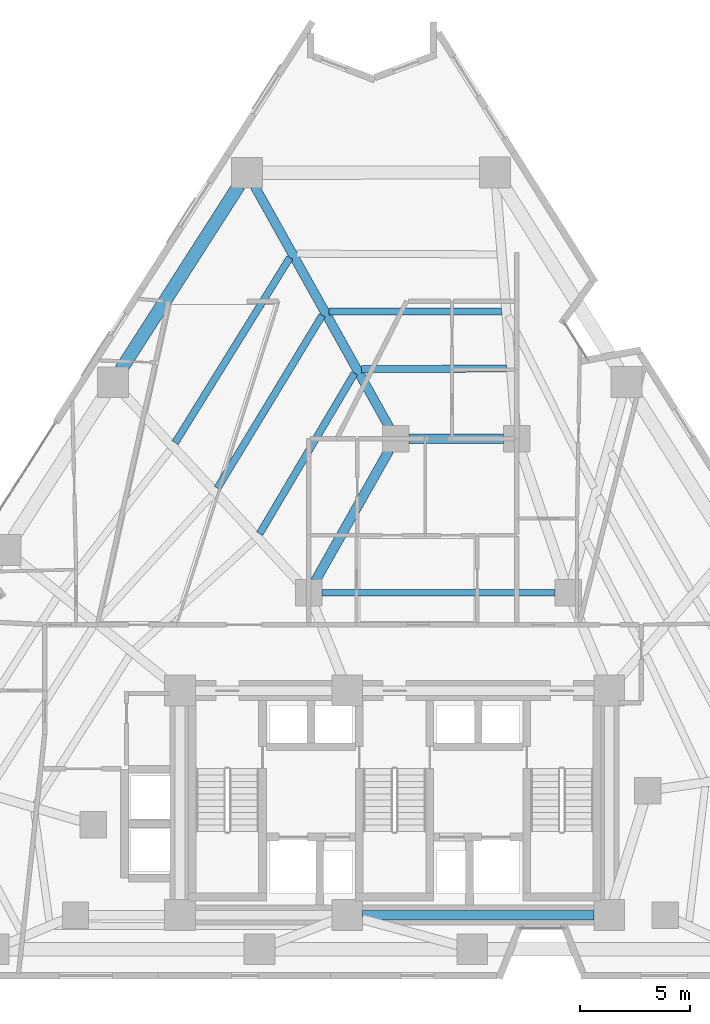
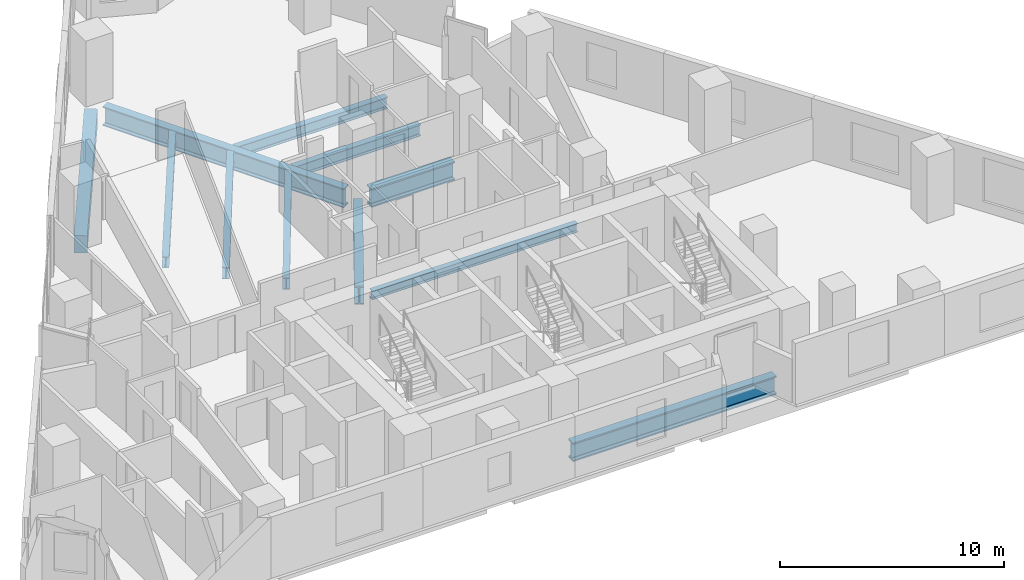
# One storey, part 3 of 14: 11 beams.
"""IFC4 building model written with IfcOpenShell, lengths in metres."""

from ifc_helpers import new_model, si_unit, direction, frame, origin, origin_2d, place, context, subcontext, project, spatial, rectangle, i_section, extrude, material, material_profile, profile_set, type_object, element, save


model = new_model("IFC4")

# Units and contexts
model_context = context("Model", 3, precision=1e-05, world=origin(), true_north=direction((0.0, 1.0)))
body_context = subcontext(model_context, "Body", "Model", "MODEL_VIEW")
ifc_project = project(units=[si_unit("LENGTHUNIT", "METRE"), si_unit("AREAUNIT", "SQUARE_METRE"), si_unit("VOLUMEUNIT", "CUBIC_METRE"), si_unit("PLANEANGLEUNIT", "RADIAN"), si_unit("MASSUNIT", "GRAM", prefix="KILO")], contexts=[model_context])

# Site, building, storey
site_placement = place(None, origin())
site = spatial("IfcSite", under=ifc_project, at=site_placement, CompositionType="ELEMENT")
building_placement = place(site_placement, origin())
building = spatial("IfcBuilding", under=site, at=building_placement, Name="Almagre Mirador Tower", CompositionType="ELEMENT")
storey_placement = place(building_placement, frame((0.0, 0.0, 60.60009765625)))
storey = spatial("IfcBuildingStorey", under=building, at=storey_placement, Name="L14", CompositionType="ELEMENT", Elevation=60.60009765625)

# Beams
ifc_material_1 = material(Name="Steel ASTM A992 Grade 50", Category="steel")
ifc_material_profile_1 = material_profile(ifc_material_1, i_section(OverallWidth=0.281982421875, OverallDepth=0.467041015625, WebThickness=0.01220703125, FlangeThickness=0.01953125, FilletRadius=0.01611328125, at=origin_2d()), Name="W18X86")
ifc_profile_set_1 = profile_set([ifc_material_profile_1], Name="Steel ASTM A992 Grade 50")
beam_type_1 = type_object("IfcBeamType", Name="BM-BAL-W18X86", PredefinedType="JOIST", material=ifc_profile_set_1)
beam_1_placement = place(storey_placement, frame((34.0, 19.199951171875, -0.483642578125), z_axis=(1.0, 0.0, 0.0), x_axis=(0.0, 1.0, 0.0)))
element("IfcBeam", 1, at=beam_1_placement, inside=storey, type_object=beam_type_1, Name="L14 secondary header beam BB-01", PredefinedType="JOIST", context=body_context, shape_type="SweptSolid", body=[
    extrude(i_section(OverallWidth=0.281982421875, OverallDepth=0.467041015625, WebThickness=0.01220703125, FlangeThickness=0.01953125, FilletRadius=0.01611328125, at=origin_2d()), origin(), (0.0, 0.0, 1.0), 10.60009765625),
])
ifc_material_2 = material(Name="Steel ASTM A992 Grade 50", Category="steel")
ifc_material_profile_2 = material_profile(ifc_material_2, i_section(OverallWidth=0.323974609375, OverallDepth=0.611083984375, WebThickness=0.0126953125, FlangeThickness=0.01904296875, FilletRadius=0.02001953125, at=origin_2d()), Name="W24X104")
ifc_profile_set_2 = profile_set([ifc_material_profile_2], Name="Steel ASTM A992 Grade 50")
beam_type_2 = type_object("IfcBeamType", Name="BM-JST-W24X104", PredefinedType="JOIST", material=ifc_profile_set_2)
beam_2_placement = place(storey_placement, frame((42.168212890625, 31.979248046875, -0.5556640625), z_axis=(-0.999999987869, -0.000155763238, 0.0), x_axis=(0.000155763238, -0.999999987869, 0.0)))
element("IfcBeam", 2, at=beam_2_placement, inside=storey, type_object=beam_type_2, Name="L14 secondary floor joist PC08-PC09.2", PredefinedType="JOIST", context=body_context, shape_type="SweptSolid", body=[
    extrude(i_section(OverallWidth=0.323974609375, OverallDepth=0.611083984375, WebThickness=0.0126953125, FlangeThickness=0.01904296875, FilletRadius=0.02001953125, at=origin_2d()), origin(), (0.0, 0.0, 1.0), 7.8369140625),
])
beam_3_placement = place(storey_placement, frame((42.3798828125, 29.387451171875, -0.5556640625), z_axis=(-0.999985531686, -0.0053792581, 0.0), x_axis=(0.0053792581, -0.999985531686, 0.0)))
element("IfcBeam", 3, at=beam_3_placement, inside=storey, type_object=beam_type_2, Name="L14 secondary floor joist PC08-PC09.3", PredefinedType="JOIST", context=body_context, shape_type="SweptSolid", body=[
    extrude(i_section(OverallWidth=0.323974609375, OverallDepth=0.611083984375, WebThickness=0.0126953125, FlangeThickness=0.01904296875, FilletRadius=0.02001953125, at=origin_2d()), origin(), (0.0, 0.0, 1.0), 6.580810546875),
])
beam_4_placement = place(storey_placement, frame((32.54345703125, 34.427001953125, -0.5556640625), z_axis=(-0.526750382105, -0.850020020324, 0.0), x_axis=(0.850020020324, -0.526750382105, 0.0)))
element("IfcBeam", 4, at=beam_4_placement, inside=storey, type_object=beam_type_2, Name="L14 secondary floor joist PC09-PC10.1", PredefinedType="JOIST", context=body_context, shape_type="SweptSolid", body=[
    extrude(i_section(OverallWidth=0.323974609375, OverallDepth=0.611083984375, WebThickness=0.0126953125, FlangeThickness=0.01904296875, FilletRadius=0.02001953125, at=origin_2d()), origin(), (0.0, 0.0, 1.0), 9.89501953125),
])
beam_5_placement = place(storey_placement, frame((34.012939453125, 31.798828125, -0.5556640625), z_axis=(-0.51858522913, -0.855025941202, 0.0), x_axis=(0.855025941202, -0.51858522913, 0.0)))
element("IfcBeam", 5, at=beam_5_placement, inside=storey, type_object=beam_type_2, Name="L14 secondary floor joist PC09-PC10.2", PredefinedType="JOIST", context=body_context, shape_type="SweptSolid", body=[
    extrude(i_section(OverallWidth=0.323974609375, OverallDepth=0.611083984375, WebThickness=0.0126953125, FlangeThickness=0.01904296875, FilletRadius=0.02001953125, at=origin_2d()), origin(), (0.0, 0.0, 1.0), 9.178955078125),
])
beam_6_placement = place(storey_placement, frame((35.48291015625, 29.17041015625, -0.5556640625), z_axis=(-0.509081080746, -0.860718567957, 0.0), x_axis=(0.860718567957, -0.509081080746, 0.0)))
element("IfcBeam", 6, at=beam_6_placement, inside=storey, type_object=beam_type_2, Name="L14 secondary floor joist PC09-PC10.3", PredefinedType="JOIST", context=body_context, shape_type="SweptSolid", body=[
    extrude(i_section(OverallWidth=0.323974609375, OverallDepth=0.611083984375, WebThickness=0.0126953125, FlangeThickness=0.01904296875, FilletRadius=0.02001953125, at=origin_2d()), origin(), (0.0, 0.0, 1.0), 8.46337890625),
])
ifc_material_3 = material(Name="Precast concrete C50/60", Category="concrete")
ifc_material_profile_3 = material_profile(ifc_material_3, rectangle(XDim=0.60009765625, YDim=0.949951171875, at=origin_2d()), Name="RC600X950")
ifc_profile_set_3 = profile_set([ifc_material_profile_3], Name="Precast concrete C50/60")
beam_type_3 = type_object("IfcBeamType", Name="BM-SPN-RC600X950", PredefinedType="SPANDREL", material=ifc_profile_set_3)
beam_7_placement = place(storey_placement, frame((30.222412109375, 37.691650390625, -0.72509765625), z_axis=(-0.539503978712, -0.841983050277, 0.0), x_axis=(0.841983050277, -0.539503978712, 0.0)))
element("IfcBeam", 7, at=beam_7_placement, inside=storey, type_object=beam_type_3, Name="L14 perimeter spandrel beam PC09-PC10", PredefinedType="SPANDREL", context=body_context, shape_type="SweptSolid", body=[
    extrude(rectangle(XDim=0.60009765625, YDim=0.949951171875, at=origin_2d()), origin(), (0.0, 0.0, 1.0), 9.90673828125),
])
ifc_material_4 = material(Name="Steel ASTM A992 Grade 50", Category="steel")
ifc_material_profile_4 = material_profile(ifc_material_4, i_section(OverallWidth=0.43701171875, OverallDepth=1.010986328125, WebThickness=0.041015625, FlangeThickness=0.073974609375, FilletRadius=0.028076171875, at=origin_2d()), Name="W36X529")
ifc_profile_set_4 = profile_set([ifc_material_profile_4], Name="Steel ASTM A992 Grade 50")
beam_type_4 = type_object("IfcBeamType", Name="BM-STL-W36X529", PredefinedType="BEAM", material=ifc_profile_set_4)
beam_8_placement = place(storey_placement, frame((37.949951171875, 26.199951171875, -0.755615234375), z_axis=(1.0, 0.0, 0.0), x_axis=(0.0, 1.0, 0.0)))
element("IfcBeam", 8, at=beam_8_placement, inside=storey, type_object=beam_type_4, Name="L14 core tie girder MC7-MC6", PredefinedType="BEAM", context=body_context, shape_type="SweptSolid", body=[
    extrude(i_section(OverallWidth=0.43701171875, OverallDepth=1.010986328125, WebThickness=0.041015625, FlangeThickness=0.073974609375, FilletRadius=0.028076171875, at=origin_2d()), origin(), (0.0, 0.0, 1.0), 4.300048828125),
])
beam_9_placement = place(storey_placement, frame((35.85009765625, 4.550048828125, -0.755615234375), z_axis=(1.0, 0.0, 0.0), x_axis=(0.0, 1.0, 0.0)))
element("IfcBeam", 9, at=beam_9_placement, inside=storey, type_object=beam_type_4, Name="L14 core tie girder CC2-CC3", PredefinedType="BEAM", context=body_context, shape_type="SweptSolid", body=[
    extrude(i_section(OverallWidth=0.43701171875, OverallDepth=1.010986328125, WebThickness=0.041015625, FlangeThickness=0.073974609375, FilletRadius=0.028076171875, at=origin_2d()), origin(), (0.0, 0.0, 1.0), 10.5),
])
beam_10_placement = place(storey_placement, frame((37.05517578125, 25.677490234375, -0.755615234375), z_axis=(-0.491440637516, -0.870911074564, 0.0), x_axis=(0.870911074564, -0.491440637516, 0.0)))
element("IfcBeam", 10, at=beam_10_placement, inside=storey, type_object=beam_type_4, Name="L14 core tie girder MC7-MC8", PredefinedType="BEAM", context=body_context, shape_type="SweptSolid", body=[
    extrude(i_section(OverallWidth=0.43701171875, OverallDepth=1.010986328125, WebThickness=0.041015625, FlangeThickness=0.073974609375, FilletRadius=0.028076171875, at=origin_2d()), origin(), (0.0, 0.0, 1.0), 6.837646484375),
])
ifc_material_5 = material(Name="Steel ASTM A913 Grade 65", Category="steel")
ifc_material_profile_5 = material_profile(ifc_material_5, i_section(OverallWidth=0.4189453125, OverallDepth=1.041015625, WebThickness=0.031005859375, FlangeThickness=0.055908203125, FilletRadius=0.030029296875, at=origin_2d()), Name="W40X397")
ifc_profile_set_5 = profile_set([ifc_material_profile_5], Name="Steel ASTM A913 Grade 65")
beam_type_5 = type_object("IfcBeamType", Name="BM-STL-W40X397", PredefinedType="BEAM", material=ifc_profile_set_5)
beam_11_placement = place(storey_placement, frame((30.94140625, 37.669921875, -0.7705078125), z_axis=(0.487764189082, -0.87297542683, 0.0), x_axis=(0.87297542683, 0.487764189082, 0.0)))
element("IfcBeam", 11, at=beam_11_placement, inside=storey, type_object=beam_type_5, Name="L14 radial floor girder PC09-MC7", PredefinedType="BEAM", context=body_context, shape_type="SweptSolid", body=[
    extrude(i_section(OverallWidth=0.4189453125, OverallDepth=1.041015625, WebThickness=0.031005859375, FlangeThickness=0.055908203125, FilletRadius=0.030029296875, at=origin_2d()), origin(), (0.0, 0.0, 1.0), 12.538818359375),
])

save(model, "model.ifc")
